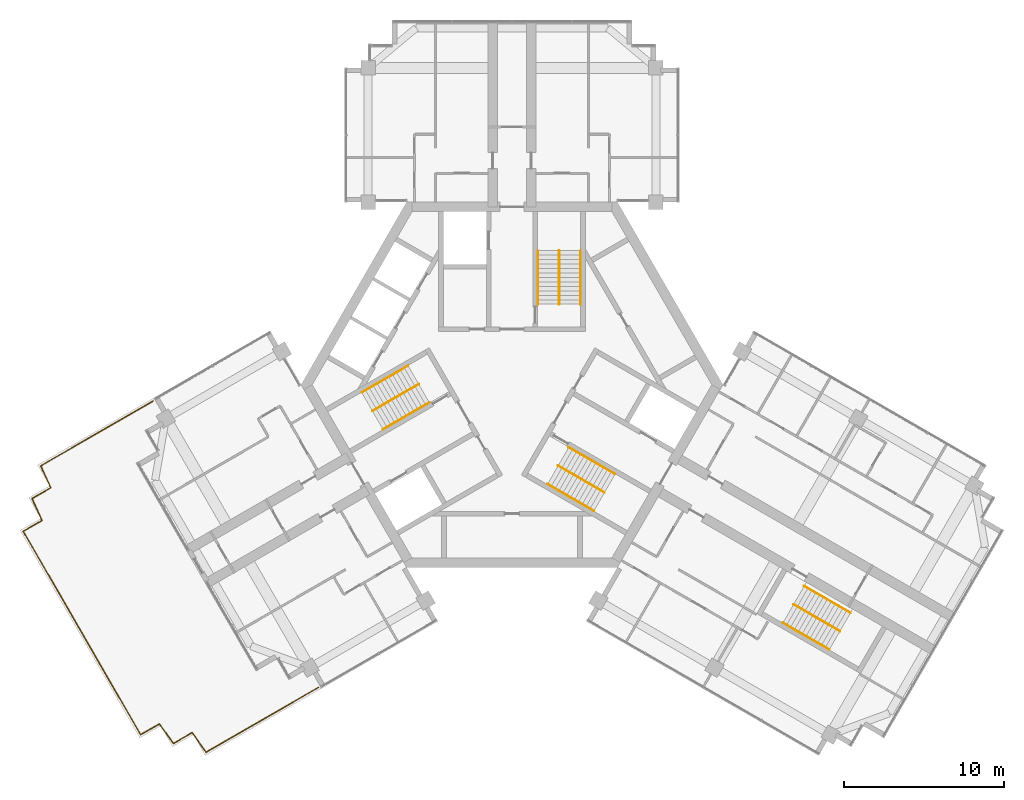
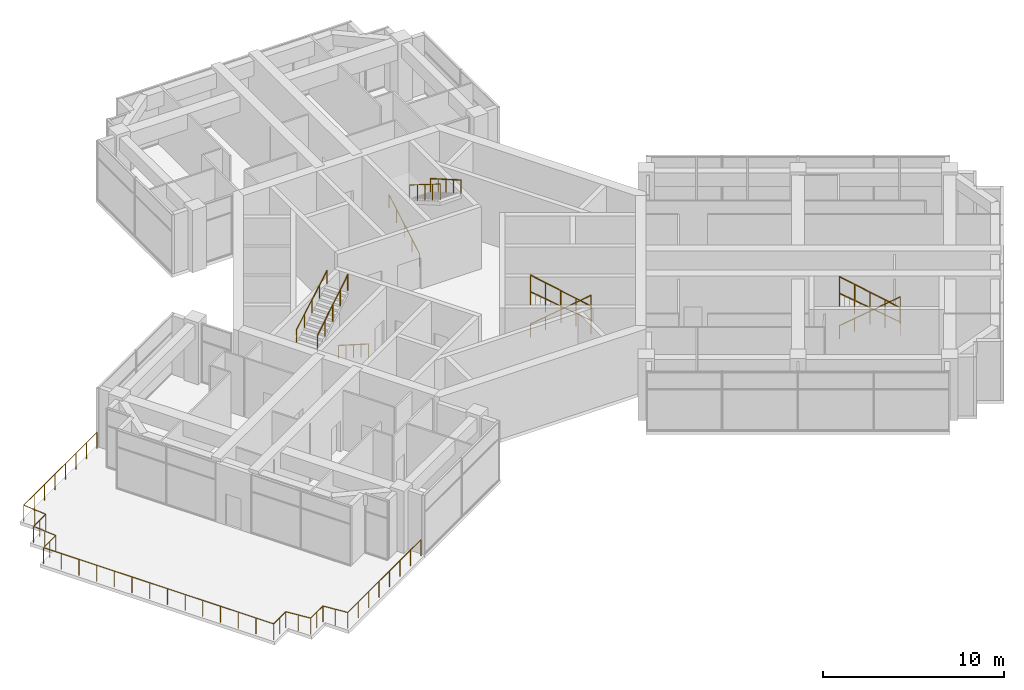
# One storey, part 13 of 13: 13 railings.
"""IFC4 building model written with IfcOpenShell, lengths in metres."""

from ifc_helpers import new_model, si_unit, direction, frame, origin, origin_2d, place, context, subcontext, project, spatial, circle, extrude, material, type_object, element, save


model = new_model("IFC4")

# Units and contexts
model_context = context("Model", 3, precision=1e-05, world=origin(), true_north=direction((0.0, 1.0)))
body_context = subcontext(model_context, "Body", "Model", "MODEL_VIEW")
ifc_project = project(units=[si_unit("LENGTHUNIT", "METRE"), si_unit("AREAUNIT", "SQUARE_METRE"), si_unit("VOLUMEUNIT", "CUBIC_METRE"), si_unit("PLANEANGLEUNIT", "RADIAN"), si_unit("MASSUNIT", "GRAM", prefix="KILO")], contexts=[model_context])

# Site, building, storey
site_placement = place(None, origin())
site = spatial("IfcSite", under=ifc_project, at=site_placement, CompositionType="ELEMENT")
building_placement = place(site_placement, origin())
building = spatial("IfcBuilding", under=site, at=building_placement, Name="Impinga Residences", CompositionType="ELEMENT")
storey_placement = place(building_placement, frame((0.0, 0.0, 283.14990234375)))
storey = spatial("IfcBuildingStorey", under=building, at=storey_placement, Name="L71", CompositionType="ELEMENT", Elevation=283.14990234375)

# Railings
ifc_material_1 = material(Name="Steel guard, powder coated", Category="steel")
railing_type_1 = type_object("IfcRailingType", Name="GR1 stair guard 1100", PredefinedType="GUARDRAIL", material=ifc_material_1)
railing_1_placement = place(storey_placement, frame((2.949951171875, 8.389892578125, 2.10009765625)))
element("IfcRailing", 1, at=railing_1_placement, inside=storey, type_object=railing_type_1, Name="Stair guard GR1 ST1 L71", PredefinedType="GUARDRAIL", context=body_context, shape_type="SweptSolid", body=[
    extrude(circle(Radius=0.02392578125, at=origin_2d()), frame((0.0, 0.0, 1.076171875), z_axis=(0.0, -0.847977533471, 0.530032171408), x_axis=(1.0, 0.0, 0.0)), (0.0, 0.0, 1.0), 3.962158203125),
    extrude(circle(Radius=0.02099609375, at=origin_2d()), origin(), (0.0, 0.0, 1.0), 1.052001953125),
    extrude(circle(Radius=0.02099609375, at=origin_2d()), frame((0.0, -0.83984375, 0.52490234375)), (0.0, 0.0, 1.0), 1.052001953125),
    extrude(circle(Radius=0.02099609375, at=origin_2d()), frame((0.0, -1.679931640625, 1.050048828125)), (0.0, 0.0, 1.0), 1.052001953125),
    extrude(circle(Radius=0.02099609375, at=origin_2d()), frame((0.0, -2.52001953125, 1.5751953125)), (0.0, 0.0, 1.0), 1.052001953125),
    extrude(circle(Radius=0.02099609375, at=origin_2d()), frame((0.0, -3.35986328125, 2.10009765625)), (0.0, 0.0, 1.0), 1.052001953125),
])
railing_2_placement = place(storey_placement, frame((-8.740966796875, -1.64013671875, 2.10009765625)))
element("IfcRailing", 2, at=railing_2_placement, inside=storey, type_object=railing_type_1, Name="Stair guard GR1 ST2 L71", PredefinedType="GUARDRAIL", context=body_context, shape_type="SweptSolid", body=[
    extrude(circle(Radius=0.02392578125, at=origin_2d()), frame((0.0, 0.0, 1.076171875), z_axis=(0.734391613324, 0.423974216904, 0.530013982533), x_axis=(-0.499976138585, 0.866039179741, 0.0)), (0.0, 0.0, 1.0), 3.96240234375),
    extrude(circle(Radius=0.02099609375, at=origin_2d()), origin(), (0.0, 0.0, 1.0), 1.052001953125),
    extrude(circle(Radius=0.02099609375, at=origin_2d()), frame((0.7275390625, 0.419921875, 0.52490234375)), (0.0, 0.0, 1.0), 1.052001953125),
    extrude(circle(Radius=0.02099609375, at=origin_2d()), frame((1.455078125, 0.83984375, 1.050048828125)), (0.0, 0.0, 1.0), 1.052001953125),
    extrude(circle(Radius=0.02099609375, at=origin_2d()), frame((2.182373046875, 1.260009765625, 1.5751953125)), (0.0, 0.0, 1.0), 1.052001953125),
    extrude(circle(Radius=0.02099609375, at=origin_2d()), frame((2.909912109375, 1.679931640625, 2.10009765625)), (0.0, 0.0, 1.0), 1.052001953125),
])
for number, where, name in (
    (3, (5.791015625, -6.749755859375, 2.10009765625), "Stair guard GR1 ST3 L71"),
    (4, (20.5263671875, -15.430419921875, 2.10009765625), "Stair guard GR1 WS3 L71"),
):
    element("IfcRailing", number, at=place(storey_placement, frame(where)), inside=storey, type_object=railing_type_1, Name=name, PredefinedType="GUARDRAIL", context=body_context, shape_type="SweptSolid", body=[
        extrude(circle(Radius=0.02392578125, at=origin_2d()), frame((0.0, 0.0, 1.076171875), z_axis=(-0.734391613324, 0.423974216904, 0.530013982533), x_axis=(-0.499976138585, -0.866039179741, 0.0)), (0.0, 0.0, 1.0), 3.96240234375),
        extrude(circle(Radius=0.02099609375, at=origin_2d()), origin(), (0.0, 0.0, 1.0), 1.052001953125),
        extrude(circle(Radius=0.02099609375, at=origin_2d()), frame((-0.7275390625, 0.419921875, 0.52490234375)), (0.0, 0.0, 1.0), 1.052001953125),
        extrude(circle(Radius=0.02099609375, at=origin_2d()), frame((-1.455078125, 0.83984375, 1.050048828125)), (0.0, 0.0, 1.0), 1.052001953125),
        extrude(circle(Radius=0.02099609375, at=origin_2d()), frame((-2.182373046875, 1.260009765625, 1.5751953125)), (0.0, 0.0, 1.0), 1.052001953125),
        extrude(circle(Radius=0.02099609375, at=origin_2d()), frame((-2.909912109375, 1.679931640625, 2.10009765625)), (0.0, 0.0, 1.0), 1.052001953125),
    ])
ifc_material_2 = material(Name="Laminated glass guard, stainless steel top rail", Category="steel")
railing_type_2 = type_object("IfcRailingType", Name="GT1 terrace guard 1100, glass infill", PredefinedType="GUARDRAIL", material=ifc_material_2)
railing_3_placement = place(storey_placement, frame((-12.13037109375, -18.95458984375, 0.0)))
element("IfcRailing", 5, at=railing_3_placement, inside=storey, type_object=railing_type_2, Name="Terrace guard GT1 L71", PredefinedType="GUARDRAIL", context=body_context, shape_type="SweptSolid", body=[
    extrude(circle(Radius=0.02392578125, at=origin_2d()), frame((0.0, 0.0, 1.076171875), z_axis=(-0.866021434139, -0.500006875564, 0.0), x_axis=(0.500006875564, -0.866021434139, 0.0)), (0.0, 0.0, 1.0), 8.09912109375),
    extrude(circle(Radius=0.02392578125, at=origin_2d()), frame((-7.013916015625, -4.049560546875, 1.076171875), z_axis=(-0.583656069723, 0.812000980464, 0.0), x_axis=(-0.812000980464, -0.583656069723, 0.0)), (0.0, 0.0, 1.0), 1.507568359375),
    extrude(circle(Radius=0.02392578125, at=origin_2d()), frame((-7.893798828125, -2.825439453125, 1.076171875), z_axis=(-0.866019956843, -0.50000943426, 0.0), x_axis=(0.50000943426, -0.866019956843, 0.0)), (0.0, 0.0, 1.0), 1.35009765625),
    extrude(circle(Radius=0.02392578125, at=origin_2d()), frame((-9.06298828125, -3.50048828125, 1.076171875), z_axis=(-0.583656069723, 0.812000980464, 0.0), x_axis=(-0.812000980464, -0.583656069723, 0.0)), (0.0, 0.0, 1.0), 1.507568359375),
    extrude(circle(Radius=0.02392578125, at=origin_2d()), frame((-9.94287109375, -2.2763671875, 1.076171875), z_axis=(-0.866019956843, -0.50000943426, 0.0), x_axis=(0.50000943426, -0.866019956843, 0.0)), (0.0, 0.0, 1.0), 1.35009765625),
    extrude(circle(Radius=0.02392578125, at=origin_2d()), frame((-11.112060546875, -2.951416015625, 1.076171875), z_axis=(-0.49999560994, 0.866027938372, 0.0), x_axis=(-0.866027938372, -0.49999560994, 0.0)), (0.0, 0.0, 1.0), 14.699951171875),
    extrude(circle(Radius=0.02392578125, at=origin_2d()), frame((-18.4619140625, 9.779052734375, 1.076171875), z_axis=(0.865974735705, 0.50008774942, 0.0), x_axis=(-0.50008774942, 0.865974735705, 0.0)), (0.0, 0.0, 1.0), 1.349853515625),
    extrude(circle(Radius=0.02392578125, at=origin_2d()), frame((-17.29296875, 10.4541015625, 1.076171875), z_axis=(-0.411361067184, 0.911472474848, 0.0), x_axis=(-0.911472474848, -0.411361067184, 0.0)), (0.0, 0.0, 1.0), 1.507568359375),
    extrude(circle(Radius=0.02392578125, at=origin_2d()), frame((-17.9130859375, 11.828125, 1.076171875), z_axis=(0.866019956843, 0.50000943426, 0.0), x_axis=(-0.50000943426, 0.866019956843, 0.0)), (0.0, 0.0, 1.0), 1.35009765625),
    extrude(circle(Radius=0.02392578125, at=origin_2d()), frame((-16.743896484375, 12.503173828125, 1.076171875), z_axis=(-0.411361067184, 0.911472474848, 0.0), x_axis=(-0.911472474848, -0.411361067184, 0.0)), (0.0, 0.0, 1.0), 1.507568359375),
    extrude(circle(Radius=0.02392578125, at=origin_2d()), frame((-17.364013671875, 13.877197265625, 1.076171875), z_axis=(0.866021434139, 0.500006875564, 0.0), x_axis=(-0.500006875564, 0.866021434139, 0.0)), (0.0, 0.0, 1.0), 8.09912109375),
    extrude(circle(Radius=0.02099609375, at=origin_2d()), origin(), (0.0, 0.0, 1.0), 1.052001953125),
    extrude(circle(Radius=0.02099609375, at=origin_2d()), frame((-1.001953125, -0.57861328125, 0.0)), (0.0, 0.0, 1.0), 1.052001953125),
    extrude(circle(Radius=0.02099609375, at=origin_2d()), frame((-2.00390625, -1.156982421875, 0.0)), (0.0, 0.0, 1.0), 1.052001953125),
    extrude(circle(Radius=0.02099609375, at=origin_2d()), frame((-3.005859375, -1.735595703125, 0.0)), (0.0, 0.0, 1.0), 1.052001953125),
    extrude(circle(Radius=0.02099609375, at=origin_2d()), frame((-4.008056640625, -2.31396484375, 0.0)), (0.0, 0.0, 1.0), 1.052001953125),
    extrude(circle(Radius=0.02099609375, at=origin_2d()), frame((-5.010009765625, -2.892578125, 0.0)), (0.0, 0.0, 1.0), 1.052001953125),
    extrude(circle(Radius=0.02099609375, at=origin_2d()), frame((-6.011962890625, -3.470947265625, 0.0)), (0.0, 0.0, 1.0), 1.052001953125),
    extrude(circle(Radius=0.02099609375, at=origin_2d()), frame((-7.013916015625, -4.049560546875, 0.0)), (0.0, 0.0, 1.0), 1.052001953125),
    extrude(circle(Radius=0.02099609375, at=origin_2d()), frame((-7.453857421875, -3.4375, 0.0)), (0.0, 0.0, 1.0), 1.052001953125),
    extrude(circle(Radius=0.02099609375, at=origin_2d()), frame((-7.893798828125, -2.825439453125, 0.0)), (0.0, 0.0, 1.0), 1.052001953125),
    extrude(circle(Radius=0.02099609375, at=origin_2d()), frame((-8.478515625, -3.1630859375, 0.0)), (0.0, 0.0, 1.0), 1.052001953125),
    extrude(circle(Radius=0.02099609375, at=origin_2d()), frame((-9.06298828125, -3.50048828125, 0.0)), (0.0, 0.0, 1.0), 1.052001953125),
    extrude(circle(Radius=0.02099609375, at=origin_2d()), frame((-9.5029296875, -2.888427734375, 0.0)), (0.0, 0.0, 1.0), 1.052001953125),
    extrude(circle(Radius=0.02099609375, at=origin_2d()), frame((-9.94287109375, -2.2763671875, 0.0)), (0.0, 0.0, 1.0), 1.052001953125),
    extrude(circle(Radius=0.02099609375, at=origin_2d()), frame((-10.52734375, -2.61376953125, 0.0)), (0.0, 0.0, 1.0), 1.052001953125),
    extrude(circle(Radius=0.02099609375, at=origin_2d()), frame((-11.112060546875, -2.951416015625, 0.0)), (0.0, 0.0, 1.0), 1.052001953125),
    extrude(circle(Radius=0.02099609375, at=origin_2d()), frame((-11.677490234375, -1.97216796875, 0.0)), (0.0, 0.0, 1.0), 1.052001953125),
    extrude(circle(Radius=0.02099609375, at=origin_2d()), frame((-12.242919921875, -0.992919921875, 0.0)), (0.0, 0.0, 1.0), 1.052001953125),
    extrude(circle(Radius=0.02099609375, at=origin_2d()), frame((-12.80810546875, -0.013671875, 0.0)), (0.0, 0.0, 1.0), 1.052001953125),
    extrude(circle(Radius=0.02099609375, at=origin_2d()), frame((-13.37353515625, 0.965576171875, 0.0)), (0.0, 0.0, 1.0), 1.052001953125),
    extrude(circle(Radius=0.02099609375, at=origin_2d()), frame((-13.93896484375, 1.94482421875, 0.0)), (0.0, 0.0, 1.0), 1.052001953125),
    extrude(circle(Radius=0.02099609375, at=origin_2d()), frame((-14.50439453125, 2.924072265625, 0.0)), (0.0, 0.0, 1.0), 1.052001953125),
    extrude(circle(Radius=0.02099609375, at=origin_2d()), frame((-15.069580078125, 3.903564453125, 0.0)), (0.0, 0.0, 1.0), 1.052001953125),
    extrude(circle(Radius=0.02099609375, at=origin_2d()), frame((-15.635009765625, 4.8828125, 0.0)), (0.0, 0.0, 1.0), 1.052001953125),
    extrude(circle(Radius=0.02099609375, at=origin_2d()), frame((-16.200439453125, 5.862060546875, 0.0)), (0.0, 0.0, 1.0), 1.052001953125),
    extrude(circle(Radius=0.02099609375, at=origin_2d()), frame((-16.765869140625, 6.84130859375, 0.0)), (0.0, 0.0, 1.0), 1.052001953125),
    extrude(circle(Radius=0.02099609375, at=origin_2d()), frame((-17.3310546875, 7.820556640625, 0.0)), (0.0, 0.0, 1.0), 1.052001953125),
    extrude(circle(Radius=0.02099609375, at=origin_2d()), frame((-17.896484375, 8.7998046875, 0.0)), (0.0, 0.0, 1.0), 1.052001953125),
    extrude(circle(Radius=0.02099609375, at=origin_2d()), frame((-18.4619140625, 9.779052734375, 0.0)), (0.0, 0.0, 1.0), 1.052001953125),
    extrude(circle(Radius=0.02099609375, at=origin_2d()), frame((-17.87744140625, 10.11669921875, 0.0)), (0.0, 0.0, 1.0), 1.052001953125),
    extrude(circle(Radius=0.02099609375, at=origin_2d()), frame((-17.29296875, 10.4541015625, 0.0)), (0.0, 0.0, 1.0), 1.052001953125),
    extrude(circle(Radius=0.02099609375, at=origin_2d()), frame((-17.60302734375, 11.14111328125, 0.0)), (0.0, 0.0, 1.0), 1.052001953125),
    extrude(circle(Radius=0.02099609375, at=origin_2d()), frame((-17.9130859375, 11.828125, 0.0)), (0.0, 0.0, 1.0), 1.052001953125),
    extrude(circle(Radius=0.02099609375, at=origin_2d()), frame((-17.32861328125, 12.16552734375, 0.0)), (0.0, 0.0, 1.0), 1.052001953125),
    extrude(circle(Radius=0.02099609375, at=origin_2d()), frame((-16.743896484375, 12.503173828125, 0.0)), (0.0, 0.0, 1.0), 1.052001953125),
    extrude(circle(Radius=0.02099609375, at=origin_2d()), frame((-17.053955078125, 13.190185546875, 0.0)), (0.0, 0.0, 1.0), 1.052001953125),
    extrude(circle(Radius=0.02099609375, at=origin_2d()), frame((-17.364013671875, 13.877197265625, 0.0)), (0.0, 0.0, 1.0), 1.052001953125),
    extrude(circle(Radius=0.02099609375, at=origin_2d()), frame((-16.362060546875, 14.455810546875, 0.0)), (0.0, 0.0, 1.0), 1.052001953125),
    extrude(circle(Radius=0.02099609375, at=origin_2d()), frame((-15.360107421875, 15.0341796875, 0.0)), (0.0, 0.0, 1.0), 1.052001953125),
    extrude(circle(Radius=0.02099609375, at=origin_2d()), frame((-14.358154296875, 15.61279296875, 0.0)), (0.0, 0.0, 1.0), 1.052001953125),
    extrude(circle(Radius=0.02099609375, at=origin_2d()), frame((-13.35595703125, 16.191162109375, 0.0)), (0.0, 0.0, 1.0), 1.052001953125),
    extrude(circle(Radius=0.02099609375, at=origin_2d()), frame((-12.35400390625, 16.769775390625, 0.0)), (0.0, 0.0, 1.0), 1.052001953125),
    extrude(circle(Radius=0.02099609375, at=origin_2d()), frame((-11.35205078125, 17.34814453125, 0.0)), (0.0, 0.0, 1.0), 1.052001953125),
    extrude(circle(Radius=0.02099609375, at=origin_2d()), frame((-10.35009765625, 17.9267578125, 0.0)), (0.0, 0.0, 1.0), 1.052001953125),
])
ifc_material_3 = material(Name="Steel handrail tube 42 mm, powder coated", Category="steel")
railing_type_3 = type_object("IfcRailingType", Name="HR1 stair handrail, 42 mm steel tube, 900 above the pitch line", PredefinedType="HANDRAIL", material=ifc_material_3)
railing_4_placement = place(storey_placement, frame((1.62109375, 5.030029296875, 0.16162109375)))
element("IfcRailing", 6, at=railing_4_placement, inside=storey, type_object=railing_type_3, Name="Stair handrail HR1 ST1 L71", PredefinedType="HANDRAIL", context=body_context, shape_type="SweptSolid", body=[
    extrude(circle(Radius=0.02099609375, at=origin_2d()), frame((0.0, 0.0, 0.87890625), z_axis=(0.0, 0.866175107563, 0.499740615757), x_axis=(-1.0, 0.0, 0.0)), (0.0, 0.0, 1.0), 3.87890625),
    extrude(circle(Radius=0.012451171875, at=origin_2d()), origin(), (0.0, 0.0, 1.0), 0.85791015625),
    extrude(circle(Radius=0.012451171875, at=origin_2d()), frame((0.0, 0.83984375, 0.484619140625)), (0.0, 0.0, 1.0), 0.85791015625),
    extrude(circle(Radius=0.012451171875, at=origin_2d()), frame((0.0, 1.679931640625, 0.96923828125)), (0.0, 0.0, 1.0), 0.85791015625),
    extrude(circle(Radius=0.012451171875, at=origin_2d()), frame((0.0, 2.52001953125, 1.453857421875)), (0.0, 0.0, 1.0), 0.85791015625),
    extrude(circle(Radius=0.012451171875, at=origin_2d()), frame((0.0, 3.35986328125, 1.9384765625)), (0.0, 0.0, 1.0), 0.85791015625),
])
railing_5_placement = place(storey_placement, frame((4.279052734375, 8.389892578125, 2.26171875)))
element("IfcRailing", 7, at=railing_5_placement, inside=storey, type_object=railing_type_3, Name="Stair handrail HR1 ST1 L71", PredefinedType="HANDRAIL", context=body_context, shape_type="SweptSolid", body=[
    extrude(circle(Radius=0.02099609375, at=origin_2d()), frame((0.0, 0.0, 0.87890625), z_axis=(0.0, -0.866175107563, 0.499740615757), x_axis=(1.0, 0.0, 0.0)), (0.0, 0.0, 1.0), 3.87890625),
    extrude(circle(Radius=0.012451171875, at=origin_2d()), origin(), (0.0, 0.0, 1.0), 0.85791015625),
    extrude(circle(Radius=0.012451171875, at=origin_2d()), frame((0.0, -0.83984375, 0.484619140625)), (0.0, 0.0, 1.0), 0.85791015625),
    extrude(circle(Radius=0.012451171875, at=origin_2d()), frame((0.0, -1.679931640625, 0.96923828125)), (0.0, 0.0, 1.0), 0.85791015625),
    extrude(circle(Radius=0.012451171875, at=origin_2d()), frame((0.0, -2.52001953125, 1.453857421875)), (0.0, 0.0, 1.0), 0.85791015625),
    extrude(circle(Radius=0.012451171875, at=origin_2d()), frame((0.0, -3.35986328125, 1.9384765625)), (0.0, 0.0, 1.0), 0.85791015625),
])
railing_6_placement = place(storey_placement, frame((-5.16650390625, -1.111083984375, 0.16162109375)))
element("IfcRailing", 8, at=railing_6_placement, inside=storey, type_object=railing_type_3, Name="Stair handrail HR1 ST2 L71", PredefinedType="HANDRAIL", context=body_context, shape_type="SweptSolid", body=[
    extrude(circle(Radius=0.02099609375, at=origin_2d()), frame((0.0, 0.0, 0.87890625), z_axis=(-0.750130072985, -0.43312317831, 0.499709101393), x_axis=(0.500030632641, -0.866007717299, 0.0)), (0.0, 0.0, 1.0), 3.879150390625),
    extrude(circle(Radius=0.012451171875, at=origin_2d()), origin(), (0.0, 0.0, 1.0), 0.85791015625),
    extrude(circle(Radius=0.012451171875, at=origin_2d()), frame((-0.7275390625, -0.419921875, 0.484619140625)), (0.0, 0.0, 1.0), 0.85791015625),
    extrude(circle(Radius=0.012451171875, at=origin_2d()), frame((-1.455078125, -0.840087890625, 0.96923828125)), (0.0, 0.0, 1.0), 0.85791015625),
    extrude(circle(Radius=0.012451171875, at=origin_2d()), frame((-2.182373046875, -1.26025390625, 1.453857421875)), (0.0, 0.0, 1.0), 0.85791015625),
    extrude(circle(Radius=0.012451171875, at=origin_2d()), frame((-2.909912109375, -1.68017578125, 1.9384765625)), (0.0, 0.0, 1.0), 0.85791015625),
])
railing_7_placement = place(storey_placement, frame((-9.405517578125, -0.4892578125, 2.26171875)))
element("IfcRailing", 9, at=railing_7_placement, inside=storey, type_object=railing_type_3, Name="Stair handrail HR1 ST2 L71", PredefinedType="HANDRAIL", context=body_context, shape_type="SweptSolid", body=[
    extrude(circle(Radius=0.02099609375, at=origin_2d()), frame((0.0, 0.0, 0.87890625), z_axis=(0.750150520049, 0.433072047022, 0.499722722476), x_axis=(-0.499976138585, 0.866039179741, 0.0)), (0.0, 0.0, 1.0), 3.879150390625),
    extrude(circle(Radius=0.012451171875, at=origin_2d()), origin(), (0.0, 0.0, 1.0), 0.85791015625),
    extrude(circle(Radius=0.012451171875, at=origin_2d()), frame((0.7275390625, 0.419921875, 0.484619140625)), (0.0, 0.0, 1.0), 0.85791015625),
    extrude(circle(Radius=0.012451171875, at=origin_2d()), frame((1.455078125, 0.83984375, 0.96923828125)), (0.0, 0.0, 1.0), 0.85791015625),
    extrude(circle(Radius=0.012451171875, at=origin_2d()), frame((2.182373046875, 1.260009765625, 1.453857421875)), (0.0, 0.0, 1.0), 0.85791015625),
    extrude(circle(Radius=0.012451171875, at=origin_2d()), frame((2.909912109375, 1.679931640625, 1.9384765625)), (0.0, 0.0, 1.0), 0.85791015625),
])
railing_8_placement = place(storey_placement, frame((3.545654296875, -3.9189453125, 0.16162109375)))
element("IfcRailing", 10, at=railing_8_placement, inside=storey, type_object=railing_type_3, Name="Stair handrail HR1 ST3 L71", PredefinedType="HANDRAIL", context=body_context, shape_type="SweptSolid", body=[
    extrude(circle(Radius=0.02099609375, at=origin_2d()), frame((0.0, 0.0, 0.87890625), z_axis=(0.750150520049, -0.433072047022, 0.499722722476), x_axis=(0.499976138585, 0.866039179741, 0.0)), (0.0, 0.0, 1.0), 3.879150390625),
    extrude(circle(Radius=0.012451171875, at=origin_2d()), origin(), (0.0, 0.0, 1.0), 0.85791015625),
    extrude(circle(Radius=0.012451171875, at=origin_2d()), frame((0.7275390625, -0.419921875, 0.484619140625)), (0.0, 0.0, 1.0), 0.85791015625),
    extrude(circle(Radius=0.012451171875, at=origin_2d()), frame((1.455078125, -0.83984375, 0.96923828125)), (0.0, 0.0, 1.0), 0.85791015625),
    extrude(circle(Radius=0.012451171875, at=origin_2d()), frame((2.182373046875, -1.260009765625, 1.453857421875)), (0.0, 0.0, 1.0), 0.85791015625),
    extrude(circle(Radius=0.012451171875, at=origin_2d()), frame((2.909912109375, -1.679931640625, 1.9384765625)), (0.0, 0.0, 1.0), 0.85791015625),
])
railing_9_placement = place(storey_placement, frame((5.12646484375, -7.900634765625, 2.26171875)))
element("IfcRailing", 11, at=railing_9_placement, inside=storey, type_object=railing_type_3, Name="Stair handrail HR1 ST3 L71", PredefinedType="HANDRAIL", context=body_context, shape_type="SweptSolid", body=[
    extrude(circle(Radius=0.02099609375, at=origin_2d()), frame((0.0, 0.0, 0.87890625), z_axis=(-0.750150520049, 0.433072047022, 0.499722722476), x_axis=(-0.499976138585, -0.866039179741, 0.0)), (0.0, 0.0, 1.0), 3.879150390625),
    extrude(circle(Radius=0.012451171875, at=origin_2d()), origin(), (0.0, 0.0, 1.0), 0.85791015625),
    extrude(circle(Radius=0.012451171875, at=origin_2d()), frame((-0.7275390625, 0.419921875, 0.484619140625)), (0.0, 0.0, 1.0), 0.85791015625),
    extrude(circle(Radius=0.012451171875, at=origin_2d()), frame((-1.455078125, 0.83984375, 0.96923828125)), (0.0, 0.0, 1.0), 0.85791015625),
    extrude(circle(Radius=0.012451171875, at=origin_2d()), frame((-2.182373046875, 1.260009765625, 1.453857421875)), (0.0, 0.0, 1.0), 0.85791015625),
    extrude(circle(Radius=0.012451171875, at=origin_2d()), frame((-2.909912109375, 1.679931640625, 1.9384765625)), (0.0, 0.0, 1.0), 0.85791015625),
])
railing_10_placement = place(storey_placement, frame((18.281005859375, -12.599609375, 0.16162109375)))
element("IfcRailing", 12, at=railing_10_placement, inside=storey, type_object=railing_type_3, Name="Stair handrail HR1 WS3 L71", PredefinedType="HANDRAIL", context=body_context, shape_type="SweptSolid", body=[
    extrude(circle(Radius=0.02099609375, at=origin_2d()), frame((0.0, 0.0, 0.87890625), z_axis=(0.750150520049, -0.433072047022, 0.499722722476), x_axis=(0.499976138585, 0.866039179741, 0.0)), (0.0, 0.0, 1.0), 3.879150390625),
    extrude(circle(Radius=0.012451171875, at=origin_2d()), origin(), (0.0, 0.0, 1.0), 0.85791015625),
    extrude(circle(Radius=0.012451171875, at=origin_2d()), frame((0.7275390625, -0.419921875, 0.484619140625)), (0.0, 0.0, 1.0), 0.85791015625),
    extrude(circle(Radius=0.012451171875, at=origin_2d()), frame((1.455078125, -0.83984375, 0.96923828125)), (0.0, 0.0, 1.0), 0.85791015625),
    extrude(circle(Radius=0.012451171875, at=origin_2d()), frame((2.182373046875, -1.260009765625, 1.453857421875)), (0.0, 0.0, 1.0), 0.85791015625),
    extrude(circle(Radius=0.012451171875, at=origin_2d()), frame((2.909912109375, -1.679931640625, 1.9384765625)), (0.0, 0.0, 1.0), 0.85791015625),
])
railing_11_placement = place(storey_placement, frame((19.86181640625, -16.581298828125, 2.26171875)))
element("IfcRailing", 13, at=railing_11_placement, inside=storey, type_object=railing_type_3, Name="Stair handrail HR1 WS3 L71", PredefinedType="HANDRAIL", context=body_context, shape_type="SweptSolid", body=[
    extrude(circle(Radius=0.02099609375, at=origin_2d()), frame((0.0, 0.0, 0.87890625), z_axis=(-0.750150520049, 0.433072047022, 0.499722722476), x_axis=(-0.499976138585, -0.866039179741, 0.0)), (0.0, 0.0, 1.0), 3.879150390625),
    extrude(circle(Radius=0.012451171875, at=origin_2d()), origin(), (0.0, 0.0, 1.0), 0.85791015625),
    extrude(circle(Radius=0.012451171875, at=origin_2d()), frame((-0.7275390625, 0.419921875, 0.484619140625)), (0.0, 0.0, 1.0), 0.85791015625),
    extrude(circle(Radius=0.012451171875, at=origin_2d()), frame((-1.455078125, 0.83984375, 0.96923828125)), (0.0, 0.0, 1.0), 0.85791015625),
    extrude(circle(Radius=0.012451171875, at=origin_2d()), frame((-2.182373046875, 1.260009765625, 1.453857421875)), (0.0, 0.0, 1.0), 0.85791015625),
    extrude(circle(Radius=0.012451171875, at=origin_2d()), frame((-2.909912109375, 1.679931640625, 1.9384765625)), (0.0, 0.0, 1.0), 0.85791015625),
])

save(model, "model.ifc")
